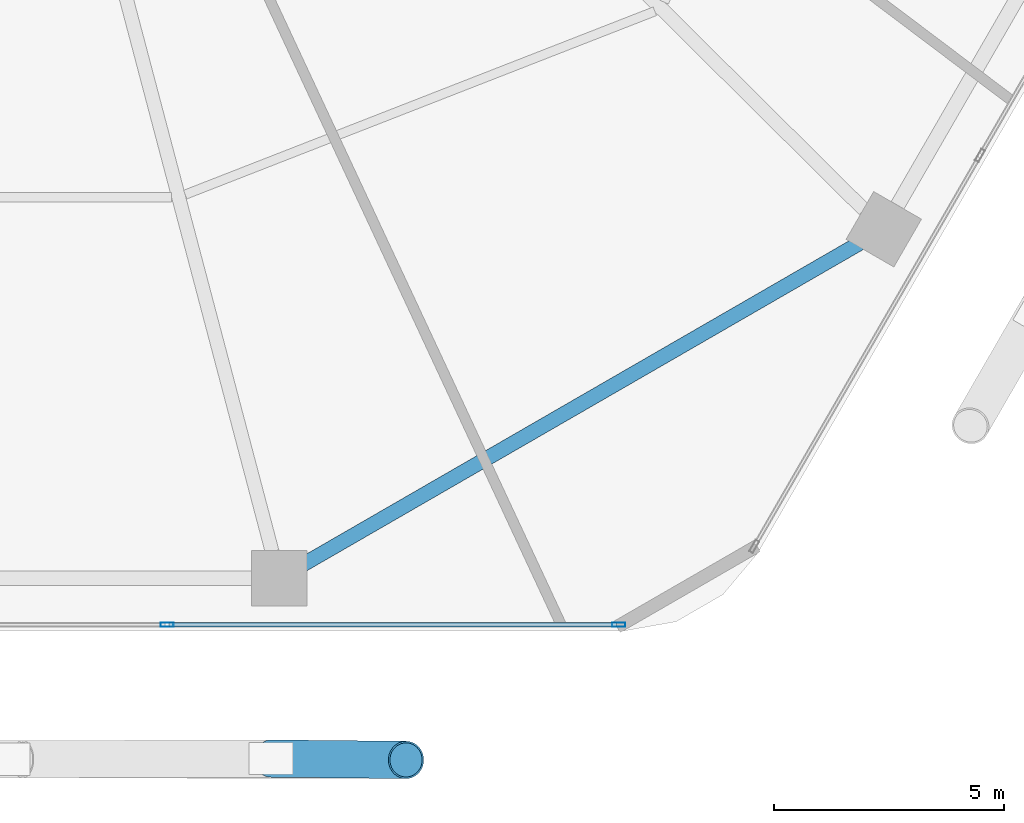
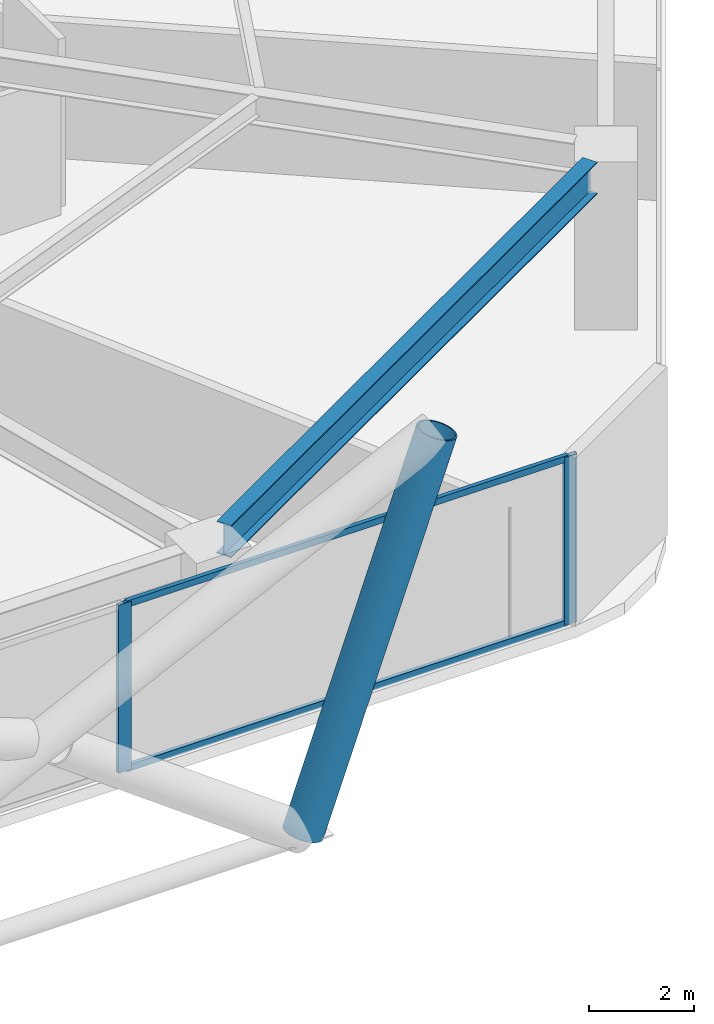
# One storey, part 7 of 28: 5 members, 1 beam, 1 element without a shape of its own.
"""IFC4 building model written with IfcOpenShell, lengths in metres."""

import ifcopenshell
import ifcopenshell.guid

model = None  # the IFC model being written
_history = None  # IfcOwnerHistory: only IFC2X3 demands one
_inside = {}  # id of a spatial element -> (the spatial element, [elements in it])
_under = {}  # id of a project, library or spatial element -> (it, [spatial elements below it])
_declared = {}  # id of a project -> (the project, [libraries it declares])
_typed = {}  # id of a type object -> (the type object, [elements of that type])
_made_of = {}  # id of a material, layer set ... -> (it, [elements and type objects made of it])


def new_model(schema):
    """Start an empty IFC model of exactly this schema.

    Asked for "IFC4X3", IfcOpenShell would pick the latest addendum, in which some entities
    have other attributes; the version numbers below select the first issue.
    IFC2X3 requires an IfcOwnerHistory on every rooted entity: one is made here for all.
    """
    global model, _history
    if schema == "IFC4X3":
        model = ifcopenshell.file(schema_version=(4, 3, 0, 0))
    else:
        model = ifcopenshell.file(schema=schema)
    _inside.clear()
    _under.clear()
    _declared.clear()
    _typed.clear()
    _made_of.clear()
    _history = None
    if model.schema == "IFC2X3":
        org = make("IfcOrganization", Name="unknown")
        user = make(
            "IfcPersonAndOrganization",
            ThePerson=make("IfcPerson", FamilyName="unknown"),
            TheOrganization=org,
        )
        app = make(
            "IfcApplication",
            ApplicationDeveloper=org,
            Version="unknown",
            ApplicationFullName="unknown",
            ApplicationIdentifier="unknown",
        )
        _history = make(
            "IfcOwnerHistory",
            OwningUser=user,
            OwningApplication=app,
            ChangeAction="ADDED",
            CreationDate=0,
        )
    return model


def make(cls, **values):
    """One entity of the class cls with the attributes given. An attribute that is None is left unset."""
    return model.create_entity(
        cls, **{name: value for name, value in values.items() if value is not None}
    )


def rooted(cls, **values):
    """An entity with a GlobalId (a new one), such as an element, a storey or a relation."""
    return make(cls, GlobalId=ifcopenshell.guid.new(), OwnerHistory=_history, **values)


def si_unit(unit_type, name, prefix=None):
    """IfcSIUnit, for example si_unit("LENGTHUNIT", "METRE", prefix="MILLI")."""
    return make("IfcSIUnit", UnitType=unit_type, Prefix=prefix, Name=name)


def assignment(units):
    """IfcUnitAssignment: the units of a project."""
    return None if units is None else make("IfcUnitAssignment", Units=units)


def point(xyz):
    """IfcCartesianPoint."""
    return None if xyz is None else make("IfcCartesianPoint", Coordinates=xyz)


def direction(xyz):
    """IfcDirection."""
    return None if xyz is None else make("IfcDirection", DirectionRatios=xyz)


def frame(location, z_axis=None, x_axis=None):
    """IfcAxis2Placement3D, a coordinate frame: its origin and axes. An axis left out is left unset."""
    return make(
        "IfcAxis2Placement3D",
        Location=point(location),
        Axis=direction(z_axis),
        RefDirection=direction(x_axis),
    )


def frame_2d(location, x_axis=None):
    """IfcAxis2Placement2D, a coordinate frame in the plane: its origin and x axis."""
    return make(
        "IfcAxis2Placement2D", Location=point(location), RefDirection=direction(x_axis)
    )


def origin():
    """The frame at (0, 0, 0) with its axes left unset."""
    return frame((0.0, 0.0, 0.0))


def origin_2d():
    """The frame at (0, 0) in the plane with its x axis left unset."""
    return frame_2d((0.0, 0.0))


def place(relative_to, where):
    """IfcLocalPlacement: puts the frame where relative to a parent placement (None: the world)."""
    return make(
        "IfcLocalPlacement", PlacementRelTo=relative_to, RelativePlacement=where
    )


def context(
    kind, dimensions, precision=None, world=None, true_north=None, identifier=None
):
    """IfcGeometricRepresentationContext, for example the 3D "Model" context."""
    return make(
        "IfcGeometricRepresentationContext",
        ContextIdentifier=identifier,
        ContextType=kind,
        CoordinateSpaceDimension=dimensions,
        Precision=precision,
        WorldCoordinateSystem=world,
        TrueNorth=true_north,
    )


def subcontext(parent, identifier, kind, view, scale=None):
    """IfcGeometricRepresentationSubContext, for example "Body" below "Model"."""
    return make(
        "IfcGeometricRepresentationSubContext",
        ContextIdentifier=identifier,
        ContextType=kind,
        ParentContext=parent,
        TargetScale=scale,
        TargetView=view,
    )


def project(units=None, contexts=None):
    """IfcProject with its units and contexts."""
    return rooted(
        "IfcProject",
        Name="project",
        RepresentationContexts=contexts,
        UnitsInContext=assignment(units),
    )


def spatial(cls, under=None, at=None, **own):
    """A site, building, storey or space (cls), placed at a placement, below another one or the project."""
    s = rooted(cls, ObjectPlacement=at, **own)
    if under is not None:
        _under.setdefault(under.id(), (under, []))[1].append(s)
    return s


def profile(cls, at=None, kind="AREA", **sizes):
    """A parametric profile (cls). Its sizes go by their IFC names, for example OverallWidth=200.0."""
    return make(cls, ProfileType=kind, Position=at, **sizes)


def hollow_rectangle(**sizes):
    """IfcRectangleHollowProfileDef."""
    return profile("IfcRectangleHollowProfileDef", **sizes)


def hollow_circle(**sizes):
    """IfcCircleHollowProfileDef."""
    return profile("IfcCircleHollowProfileDef", **sizes)


def i_section(**sizes):
    """IfcIShapeProfileDef."""
    return profile("IfcIShapeProfileDef", **sizes)


def extrude(swept, where, along, depth):
    """IfcExtrudedAreaSolid: the profile swept, set in the frame where, extruded along a direction by depth."""
    return make(
        "IfcExtrudedAreaSolid",
        SweptArea=swept,
        Position=where,
        ExtrudedDirection=direction(along),
        Depth=depth,
    )


def shape(context_of_items, identifier, shape_type, items):
    """IfcShapeRepresentation: the items that make up one representation, for example the "Body"."""
    return make(
        "IfcShapeRepresentation",
        ContextOfItems=context_of_items,
        RepresentationIdentifier=identifier,
        RepresentationType=shape_type,
        Items=items,
    )


def material(Name=None, Category=None):
    """IfcMaterial."""
    return make("IfcMaterial", Name=Name, Category=Category)


def material_profile(
    of_material, cross_section, Name=None, Category=None, Priority=None
):
    """IfcMaterialProfile: a cross section and its material."""
    return make(
        "IfcMaterialProfile",
        Name=Name,
        Material=of_material,
        Profile=cross_section,
        Priority=Priority,
        Category=Category,
    )


def profile_set(profiles, Name=None, composite=None):
    """IfcMaterialProfileSet."""
    return make(
        "IfcMaterialProfileSet",
        Name=Name,
        MaterialProfiles=profiles,
        CompositeProfile=composite,
    )


def made_of(thing, what):
    """Note that an element or type object is made of a material, layer set ...; save() writes the relation."""
    if what is not None:
        _made_of.setdefault(what.id(), (what, []))[1].append(thing)
    return thing


def type_object(cls, material=None, **own):
    """A type object (cls), such as IfcWallType, which elements share."""
    return made_of(rooted(cls, **own), material)


def element(
    cls,
    number,
    at=None,
    inside=None,
    cuts=None,
    type_object=None,
    material=None,
    context=None,
    identifier="Body",
    shape_type=None,
    held_by="IfcProductDefinitionShape",
    body=None,
    shapes=None,
    **own,
):
    """One element of the class cls, such as IfcWall. Its Tag is "e" and its number.

    at: its placement. inside: the storey or other place that contains it. cuts: it is an
    opening in that element (IfcRelVoidsElement). A single representation is given by context,
    identifier, shape_type and body (its items); several are given by shapes. held_by: the class
    of the entity that holds the representations. save() writes the other relations.
    """
    e = rooted(cls, Tag="e%d" % number, ObjectPlacement=at, **own)
    if body is not None:
        shapes = [shape(context, identifier, shape_type, body)]
    if shapes is not None:
        e.Representation = make(held_by, Representations=shapes)
    if inside is not None:
        _inside.setdefault(inside.id(), (inside, []))[1].append(e)
    if cuts is not None:
        rooted(
            "IfcRelVoidsElement", RelatingBuildingElement=cuts, RelatedOpeningElement=e
        )
    if type_object is not None:
        _typed.setdefault(type_object.id(), (type_object, []))[1].append(e)
    return made_of(e, material)


def aggregate(whole, parts):
    """IfcRelAggregates: a whole, such as a stair, and the parts it consists of."""
    return rooted("IfcRelAggregates", RelatingObject=whole, RelatedObjects=parts)


def save(model, path):
    """Write the relations noted so far, then the file.

    IfcRelAggregates (storeys below a building ...), IfcRelContainedInSpatialStructure (elements
    in a storey), IfcRelDefinesByType, IfcRelAssociatesMaterial and IfcRelDeclares: one each for
    every whole, place, type object, material and project.
    """
    for whole, parts in _under.values():
        aggregate(whole, parts)
    for where, things in _inside.values():
        rooted(
            "IfcRelContainedInSpatialStructure",
            RelatedElements=things,
            RelatingStructure=where,
        )
    for kind, things in _typed.values():
        rooted("IfcRelDefinesByType", RelatedObjects=things, RelatingType=kind)
    for what, things in _made_of.values():
        rooted("IfcRelAssociatesMaterial", RelatedObjects=things, RelatingMaterial=what)
    for by, libraries in _declared.values():
        rooted("IfcRelDeclares", RelatingContext=by, RelatedDefinitions=libraries)
    model.write(path)


model = new_model("IFC4")

# Units and contexts
model_context = context("Model", 3, precision=1e-05, world=origin(), true_north=direction((0.0, 1.0)))
body_context = subcontext(model_context, "Body", "Model", "MODEL_VIEW")
ifc_project = project(units=[si_unit("LENGTHUNIT", "METRE"), si_unit("AREAUNIT", "SQUARE_METRE"), si_unit("VOLUMEUNIT", "CUBIC_METRE"), si_unit("PLANEANGLEUNIT", "RADIAN"), si_unit("MASSUNIT", "GRAM", prefix="KILO")], contexts=[model_context])

# Site, building, storey
site_placement = place(None, origin())
site = spatial("IfcSite", under=ifc_project, at=site_placement, CompositionType="ELEMENT")
building_placement = place(site_placement, origin())
building = spatial("IfcBuilding", under=site, at=building_placement, Name="Zuhravey Tower", CompositionType="ELEMENT")
storey_placement = place(building_placement, frame((0.0, 0.0, 49.800048828125)))
storey = spatial("IfcBuildingStorey", under=building, at=storey_placement, Name="L12", CompositionType="ELEMENT", Elevation=49.800048828125)

# Curtain wall, members
ifc_material_1 = material(Name="Thermally broken anodised aluminium", Category="aluminium")
curtain_wall_type = type_object("IfcCurtainWallType", Name="School Low-E Unitised Curtain Wall CW1", PredefinedType="NOTDEFINED", material=ifc_material_1)
curtain_wall_placement = place(storey_placement, origin())
curtain_wall = element("IfcCurtainWall", 1, at=curtain_wall_placement, inside=storey, type_object=curtain_wall_type, Name="L12 CW1 CW-L12-F5-1", PredefinedType="NOTDEFINED")
ifc_material_2 = material(Name="Anodised aluminium", Category="aluminium")
ifc_material_profile_1 = material_profile(ifc_material_2, hollow_rectangle(XDim=0.090087890625, YDim=0.284912109375, WallThickness=0.0048828125, at=origin_2d()), Name="ALU-RHS-90x285x5")
ifc_profile_set_1 = profile_set([ifc_material_profile_1], Name="Anodised aluminium")
member_type_1 = type_object("IfcMemberType", Name="Curtain-Wall Mullion 90x180", PredefinedType="MULLION", material=ifc_profile_set_1)
member_1_placement = place(storey_placement, frame((50.75439453125, 3.04150390625, 0.0), z_axis=(0.0, 0.0, 1.0), x_axis=(0.0, -1.0, 0.0)))
member_1 = element("IfcMember", 2, at=member_1_placement, type_object=member_type_1, Name="CW1 mullion 1", PredefinedType="MULLION", context=body_context, shape_type="SweptSolid", body=[
    extrude(hollow_rectangle(XDim=0.090087890625, YDim=0.284912109375, WallThickness=0.0048828125, at=origin_2d()), origin(), (0.0, 0.0, 1.0), 3.919921875),
])
member_2_placement = place(storey_placement, frame((40.93310546875, 3.04150390625, 0.0), z_axis=(0.0, 0.0, 1.0), x_axis=(0.0, -1.0, 0.0)))
member_2 = element("IfcMember", 3, at=member_2_placement, type_object=member_type_1, Name="CW1 mullion 2", PredefinedType="MULLION", context=body_context, shape_type="SweptSolid", body=[
    extrude(hollow_rectangle(XDim=0.090087890625, YDim=0.284912109375, WallThickness=0.0048828125, at=origin_2d()), origin(), (0.0, 0.0, 1.0), 3.919921875),
])
ifc_material_profile_2 = material_profile(ifc_material_2, hollow_rectangle(XDim=0.090087890625, YDim=0.14990234375, WallThickness=0.0048828125, at=origin_2d()), Name="ALU-RHS-90x150x5")
ifc_profile_set_2 = profile_set([ifc_material_profile_2], Name="Anodised aluminium")
member_type_2 = type_object("IfcMemberType", Name="Curtain-Wall Transom 90x150", PredefinedType="USERDEFINED", material=ifc_profile_set_2)
member_3_placement = place(storey_placement, frame((50.70947265625, 3.04150390625, 0.044921875), z_axis=(-1.0, 0.0, 0.0), x_axis=(0.0, -1.0, 0.0)))
member_3 = element("IfcMember", 4, at=member_3_placement, type_object=member_type_2, Name="CW1 transom 1.1", ObjectType="TRANSOM", PredefinedType="USERDEFINED", context=body_context, shape_type="SweptSolid", body=[
    extrude(hollow_rectangle(XDim=0.090087890625, YDim=0.14990234375, WallThickness=0.0048828125, at=origin_2d()), origin(), (0.0, 0.0, 1.0), 9.731201171875),
])
member_4_placement = place(storey_placement, frame((50.70947265625, 3.04150390625, 3.875), z_axis=(-1.0, 0.0, 0.0), x_axis=(0.0, -1.0, 0.0)))
member_4 = element("IfcMember", 5, at=member_4_placement, type_object=member_type_2, Name="CW1 transom 1.2", ObjectType="TRANSOM", PredefinedType="USERDEFINED", context=body_context, shape_type="SweptSolid", body=[
    extrude(hollow_rectangle(XDim=0.090087890625, YDim=0.14990234375, WallThickness=0.0048828125, at=origin_2d()), origin(), (0.0, 0.0, 1.0), 9.731201171875),
])
aggregate(curtain_wall, [member_1, member_2, member_3, member_4])

# Member
ifc_material_3 = material(Name="Steel SM460", Category="steel")
ifc_material_profile_3 = material_profile(ifc_material_3, hollow_circle(Radius=0.406494140625, WallThickness=0.035888671875, at=origin_2d()), Name="CHS-812.8x36")
ifc_profile_set_3 = profile_set([ifc_material_profile_3], Name="Steel SM460")
member_type_3 = type_object("IfcMemberType", Name="Exoskeleton Zone 1 Diagrid CHS813x36", PredefinedType="BRACE", material=ifc_profile_set_3)
member_5_placement = place(storey_placement, frame((43.20166015625, 0.13134765625, -0.47216796875), z_axis=(0.33063225771, -0.003363950917, 0.943753672308), x_axis=(0.010173770828, 0.999948245854, 0.0)))
element("IfcMember", 6, at=member_5_placement, inside=storey, type_object=member_type_3, Name="L12 Face 5 Diagrid Brace 4", PredefinedType="BRACE", context=body_context, shape_type="SweptSolid", body=[
    extrude(hollow_circle(Radius=0.406494140625, WallThickness=0.035888671875, at=origin_2d()), origin(), (0.0, 0.0, 1.0), 8.854248046875),
])

# Beam
ifc_material_4 = material(Name="Steel SM355", Category="steel")
ifc_material_profile_4 = material_profile(ifc_material_4, i_section(OverallWidth=0.320068359375, OverallDepth=0.75, WebThickness=0.013916015625, FlangeThickness=0.02490234375, at=origin_2d()), Name="H-750x320x14x25")
ifc_profile_set_4 = profile_set([ifc_material_profile_4], Name="Steel SM355")
beam_type = type_object("IfcBeamType", Name="Perimeter Ring Beam H750x320", PredefinedType="BEAM", material=ifc_profile_set_4)
beam_placement = place(storey_placement, frame((43.89208984375, 4.35302734375, 3.544921875), z_axis=(0.866029969761, 0.499992091414, 0.0), x_axis=(-0.499992091414, 0.866029969761, 0.0)))
element("IfcBeam", 7, at=beam_placement, inside=storey, type_object=beam_type, Name="L12 PB1 BM-L12-PB-10", PredefinedType="BEAM", context=body_context, shape_type="SweptSolid", body=[
    extrude(i_section(OverallWidth=0.320068359375, OverallDepth=0.75, WebThickness=0.013916015625, FlangeThickness=0.02490234375, at=origin_2d()), origin(), (0.0, 0.0, 1.0), 13.977294921875),
])

save(model, "model.ifc")
